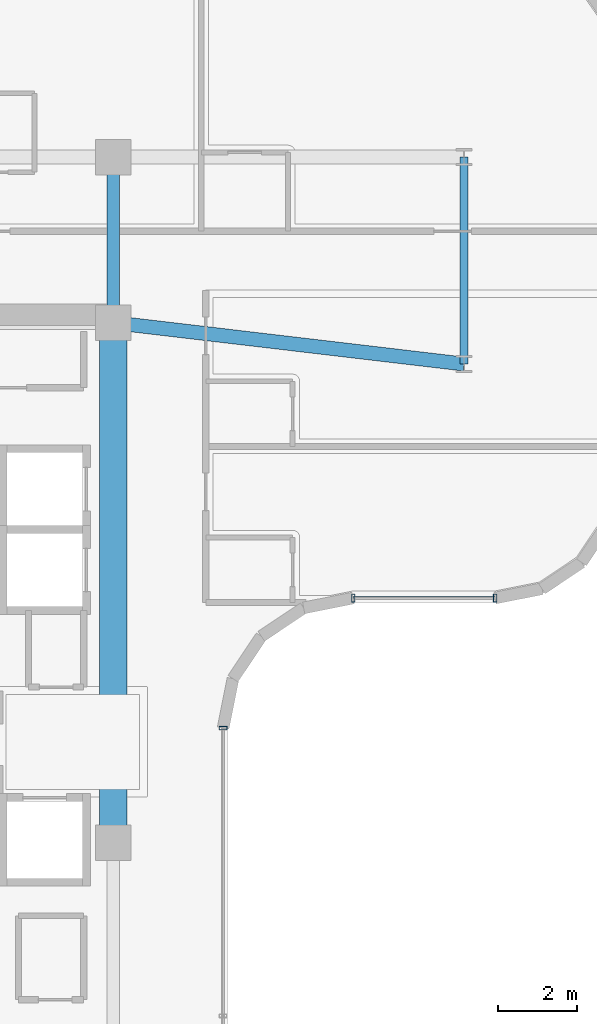
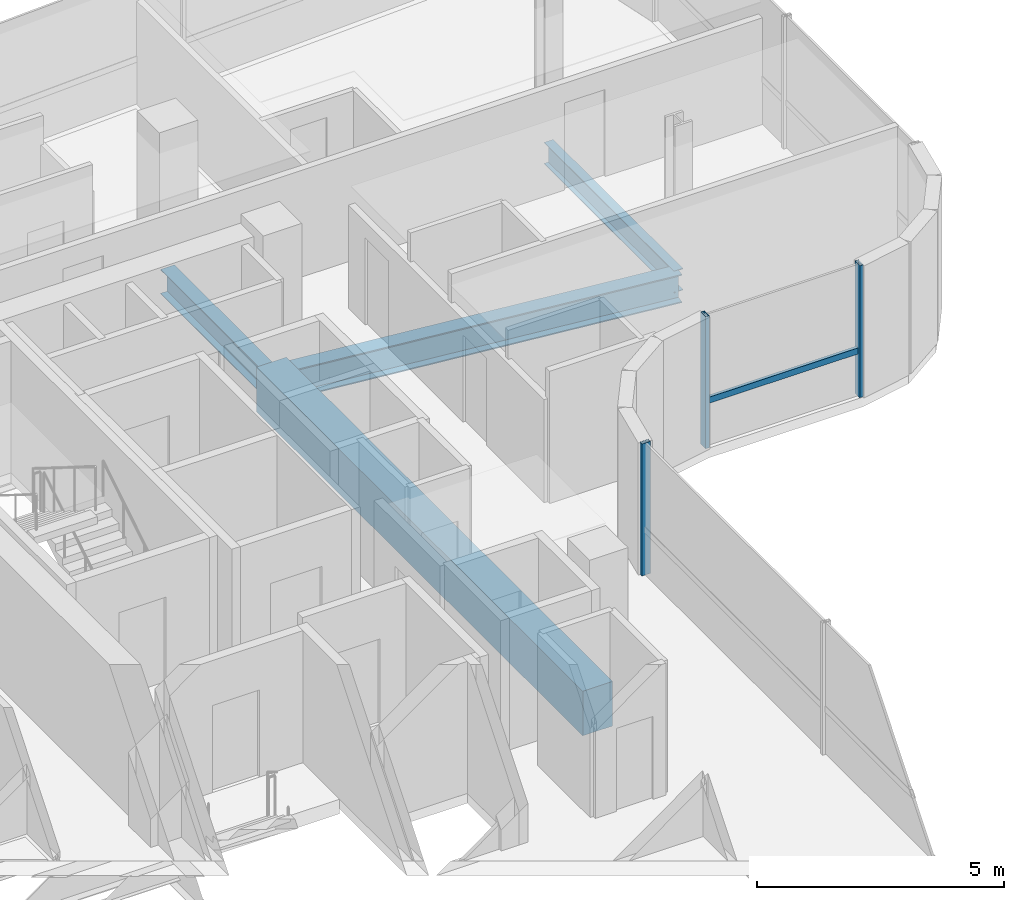
# One storey, part 9 of 22: 4 beams, 4 members, 2 elements without a shape of their own.
"""IFC4 building model written with IfcOpenShell, lengths in metres."""

from ifc_helpers import new_model, si_unit, direction, frame, origin, origin_2d, place, context, subcontext, project, spatial, rectangle, hollow_rectangle, i_section, extrude, source, transform, mapped, material, material_profile, profile_set, type_object, element, aggregate, save


model = new_model("IFC4")

# Units and contexts
model_context = context("Model", 3, precision=1e-05, world=origin(), true_north=direction((0.0, 1.0)))
body_context = subcontext(model_context, "Body", "Model", "MODEL_VIEW")
ifc_project = project(units=[si_unit("LENGTHUNIT", "METRE"), si_unit("AREAUNIT", "SQUARE_METRE"), si_unit("VOLUMEUNIT", "CUBIC_METRE"), si_unit("PLANEANGLEUNIT", "RADIAN"), si_unit("MASSUNIT", "GRAM", prefix="KILO")], contexts=[model_context])

# Site, building, storey
site_placement = place(None, origin())
site = spatial("IfcSite", under=ifc_project, at=site_placement, CompositionType="ELEMENT")
building_placement = place(site_placement, origin())
building = spatial("IfcBuilding", under=site, at=building_placement, Name="Valdorenza Pilgrim Sanctuary Tower", CompositionType="ELEMENT")
storey_placement = place(building_placement, frame((0.0, 0.0, 212.5)))
storey = spatial("IfcBuildingStorey", under=building, at=storey_placement, Name="L54", CompositionType="ELEMENT", Elevation=212.5)

# Beams
ifc_material_1 = material(Name="Concrete C50/60", Category="concrete")
ifc_material_profile_1 = material_profile(ifc_material_1, rectangle(XDim=0.699951171875, YDim=1.10009765625, at=origin_2d()), Name="RC 1100x700")
ifc_profile_set_1 = profile_set([ifc_material_profile_1], Name="Concrete C50/60")
beam_type_1 = type_object("IfcBeamType", Name="STR-BM-LNT-1100", PredefinedType="LINTEL", material=ifc_profile_set_1)
shared_shape_1 = source(origin(), body_context, "Body", "SweptSolid", [
    extrude(rectangle(XDim=0.699951171875, YDim=1.10009765625, at=origin_2d()), origin(), (0.0, 0.0, 1.0), 13.2001953125),
])
beam_1_placement = place(storey_placement, frame((-12.39990234375, -2.60009765625, -0.590087890625), z_axis=(0.0, 1.0, 0.0), x_axis=(-1.0, 0.0, 0.0)))
element("IfcBeam", 1, at=beam_1_placement, inside=storey, type_object=beam_type_1, Name="L54 Core A Coupling Lintel Girder", PredefinedType="LINTEL", context=body_context, shape_type="MappedRepresentation", body=[
    mapped(shared_shape_1, transform((0.0, 0.0, 0.0), x_axis=(1.0, 0.0, 0.0), y_axis=(0.0, 1.0, 0.0), z_axis=(0.0, 0.0, 1.0), scale=1.0)),
])
ifc_material_2 = material(Name="Steel ASTM A992 Grade 50", Category="steel")
ifc_material_profile_2 = material_profile(ifc_material_2, i_section(OverallWidth=0.323974609375, OverallDepth=0.611083984375, WebThickness=0.0126953125, FlangeThickness=0.01904296875, at=origin_2d()), Name="W24X104")
ifc_profile_set_2 = profile_set([ifc_material_profile_2], Name="Steel ASTM A992 Grade 50")
beam_type_2 = type_object("IfcBeamType", Name="STR-BM-GRD-W24B", PredefinedType="BEAM", material=ifc_profile_set_2)
shared_shape_2 = source(origin(), body_context, "Body", "SweptSolid", [
    extrude(i_section(OverallWidth=0.323974609375, OverallDepth=0.611083984375, WebThickness=0.0126953125, FlangeThickness=0.01904296875, at=origin_2d()), origin(), (0.0, 0.0, 1.0), 4.199951171875),
])
beam_2_placement = place(storey_placement, frame((-12.39990234375, 10.60009765625, -0.54541015625), z_axis=(0.0, 1.0, 0.0), x_axis=(-1.0, 0.0, 0.0)))
element("IfcBeam", 2, at=beam_2_placement, inside=storey, type_object=beam_type_2, Name="L54 Core Tie Girder CA-E-N1N2", PredefinedType="BEAM", context=body_context, shape_type="MappedRepresentation", body=[
    mapped(shared_shape_2, transform((0.0, 0.0, 0.0), x_axis=(1.0, 0.0, 0.0), y_axis=(0.0, 1.0, 0.0), z_axis=(0.0, 0.0, 1.0), scale=1.0)),
])
ifc_material_profile_3 = material_profile(ifc_material_2, i_section(OverallWidth=0.2109375, OverallDepth=0.5390625, WebThickness=0.01171875, FlangeThickness=0.018798828125, at=origin_2d()), Name="W21X73")
ifc_profile_set_3 = profile_set([ifc_material_profile_3], Name="Steel ASTM A992 Grade 50")
beam_type_3 = type_object("IfcBeamType", Name="STR-BM-SPN-W21B", PredefinedType="SPANDREL", material=ifc_profile_set_3)
shared_shape_3 = source(origin(), body_context, "Body", "SweptSolid", [
    extrude(i_section(OverallWidth=0.2109375, OverallDepth=0.5390625, WebThickness=0.01171875, FlangeThickness=0.018798828125, at=origin_2d()), origin(), (0.0, 0.0, 1.0), 5.25),
])
beam_3_placement = place(storey_placement, frame((-3.5, 9.550048828125, -0.509521484375), z_axis=(0.0, 1.0, 0.0), x_axis=(-1.0, 0.0, 0.0)))
element("IfcBeam", 3, at=beam_3_placement, inside=storey, type_object=beam_type_3, Name="L54 Floor Girder UWA-KTIE", PredefinedType="SPANDREL", context=body_context, shape_type="MappedRepresentation", body=[
    mapped(shared_shape_3, transform((0.0, 0.0, 0.0), x_axis=(1.0, 0.0, 0.0), y_axis=(0.0, 1.0, 0.0), z_axis=(0.0, 0.0, 1.0), scale=1.0)),
])
ifc_material_profile_4 = material_profile(ifc_material_2, i_section(OverallWidth=0.35595703125, OverallDepth=0.700927734375, WebThickness=0.016845703125, FlangeThickness=0.02734375, at=origin_2d()), Name="W27X161")
ifc_profile_set_4 = profile_set([ifc_material_profile_4], Name="Steel ASTM A992 Grade 50")
beam_type_4 = type_object("IfcBeamType", Name="STR-BM-GRD-W27", PredefinedType="BEAM", material=ifc_profile_set_4)
shared_shape_4 = source(origin(), body_context, "Body", "SweptSolid", [
    extrude(i_section(OverallWidth=0.35595703125, OverallDepth=0.700927734375, WebThickness=0.016845703125, FlangeThickness=0.02734375, at=origin_2d()), origin(), (0.0, 0.0, 1.0), 8.961669921875),
])
beam_4_placement = place(storey_placement, frame((-12.39990234375, 10.60009765625, -0.590576171875), z_axis=(0.993111684121, -0.117171595803, 0.0), x_axis=(0.117171595803, 0.993111684121, 0.0)))
element("IfcBeam", 4, at=beam_4_placement, inside=storey, type_object=beam_type_4, Name="L54 Floor Girder UWA-KG1", PredefinedType="BEAM", context=body_context, shape_type="MappedRepresentation", body=[
    mapped(shared_shape_4, transform((0.0, 0.0, 0.0), x_axis=(1.0, 0.0, 0.0), y_axis=(0.0, 1.0, 0.0), z_axis=(0.0, 0.0, 1.0), scale=1.0)),
])

# Curtain wall, members
ifc_material_3 = material(Name="Curtain-wall IGU glazing", Category="glass")
curtain_wall_type = type_object("IfcCurtainWallType", Name="CW-SYS-02", PredefinedType="NOTDEFINED", material=ifc_material_3)
curtain_wall_1_placement = place(storey_placement, origin())
curtain_wall_1 = element("IfcCurtainWall", 5, at=curtain_wall_1_placement, inside=storey, type_object=curtain_wall_type, Name="L54 Curtain Wall CW-L54-1-16", PredefinedType="NOTDEFINED")
ifc_material_4 = material(Name="Anodised aluminium AW-6060", Category="aluminium")
ifc_material_profile_5 = material_profile(ifc_material_4, hollow_rectangle(XDim=0.074951171875, YDim=0.14990234375, WallThickness=0.00390625, at=origin_2d()), Name="ALU-T 150x75x4")
ifc_profile_set_5 = profile_set([ifc_material_profile_5], Name="Anodised aluminium AW-6060")
member_type_1 = type_object("IfcMemberType", Name="CW-TRN-02", PredefinedType="USERDEFINED", material=ifc_profile_set_5)
shared_shape_5 = source(origin(), body_context, "Body", "SweptSolid", [
    extrude(hollow_rectangle(XDim=0.074951171875, YDim=0.14990234375, WallThickness=0.00390625, at=origin_2d()), origin(), (0.0, 0.0, 1.0), 3.60009765625),
])
member_1_placement = place(storey_placement, frame((-2.710693359375, 3.610107421875, 1.1201171875), z_axis=(-1.0, 0.0, 0.0), x_axis=(0.0, -1.0, 0.0)))
member_1 = element("IfcMember", 6, at=member_1_placement, type_object=member_type_1, Name="CW-L54-1-16 Transom 1", ObjectType="TRANSOM", PredefinedType="USERDEFINED", context=body_context, shape_type="MappedRepresentation", body=[
    mapped(shared_shape_5, transform((0.0, 0.0, 0.0), x_axis=(1.0, 0.0, 0.0), y_axis=(0.0, 1.0, 0.0), z_axis=(0.0, 0.0, 1.0), scale=1.0)),
])
ifc_material_profile_6 = material_profile(ifc_material_4, hollow_rectangle(XDim=0.0849609375, YDim=0.199951171875, WallThickness=0.0048828125, at=origin_2d()), Name="ALU-M 200x85x5")
ifc_profile_set_6 = profile_set([ifc_material_profile_6], Name="Anodised aluminium AW-6060")
member_type_2 = type_object("IfcMemberType", Name="CW-MUL-02", PredefinedType="MULLION", material=ifc_profile_set_6)
shared_shape_6 = source(origin(), body_context, "Body", "SweptSolid", [
    extrude(hollow_rectangle(XDim=0.0849609375, YDim=0.199951171875, WallThickness=0.0048828125, at=origin_2d()), origin(), (0.0, 0.0, 1.0), 3.260009765625),
])
member_2_placement = place(storey_placement, frame((-2.710693359375, 3.610107421875, 0.0), z_axis=(0.0, 0.0, 1.0), x_axis=(-1.0, 0.0, 0.0)))
member_2 = element("IfcMember", 7, at=member_2_placement, type_object=member_type_2, Name="CW-L54-1-16 Mullion 1", PredefinedType="MULLION", context=body_context, shape_type="MappedRepresentation", body=[
    mapped(shared_shape_6, transform((0.0, 0.0, 0.0), x_axis=(1.0, 0.0, 0.0), y_axis=(0.0, 1.0, 0.0), z_axis=(0.0, 0.0, 1.0), scale=1.0)),
])
member_3_placement = place(storey_placement, frame((-6.310791015625, 3.610107421875, 0.0), z_axis=(0.0, 0.0, 1.0), x_axis=(-1.0, 0.0, 0.0)))
member_3 = element("IfcMember", 8, at=member_3_placement, type_object=member_type_2, Name="CW-L54-1-16 Mullion 2", PredefinedType="MULLION", context=body_context, shape_type="MappedRepresentation", body=[
    mapped(shared_shape_6, transform((0.0, 0.0, 0.0), x_axis=(1.0, 0.0, 0.0), y_axis=(0.0, 1.0, 0.0), z_axis=(0.0, 0.0, 1.0), scale=1.0)),
])
aggregate(curtain_wall_1, [member_2, member_3, member_1])

# Curtain wall, member
curtain_wall_2_placement = place(storey_placement, origin())
curtain_wall_2 = element("IfcCurtainWall", 9, at=curtain_wall_2_placement, inside=storey, type_object=curtain_wall_type, Name="L54 Curtain Wall CW-L54-1-21", PredefinedType="NOTDEFINED")
member_4_placement = place(storey_placement, frame((-9.610107421875, 0.310791015625, 0.0), z_axis=(0.0, 0.0, 1.0), x_axis=(0.0, -1.0, 0.0)))
member_4 = element("IfcMember", 10, at=member_4_placement, type_object=member_type_2, Name="CW-L54-1-21 Mullion 1", PredefinedType="MULLION", context=body_context, shape_type="MappedRepresentation", body=[
    mapped(shared_shape_6, transform((0.0, 0.0, 0.0), x_axis=(1.0, 0.0, 0.0), y_axis=(0.0, 1.0, 0.0), z_axis=(0.0, 0.0, 1.0), scale=1.0)),
])
aggregate(curtain_wall_2, [member_4])

save(model, "model.ifc")
